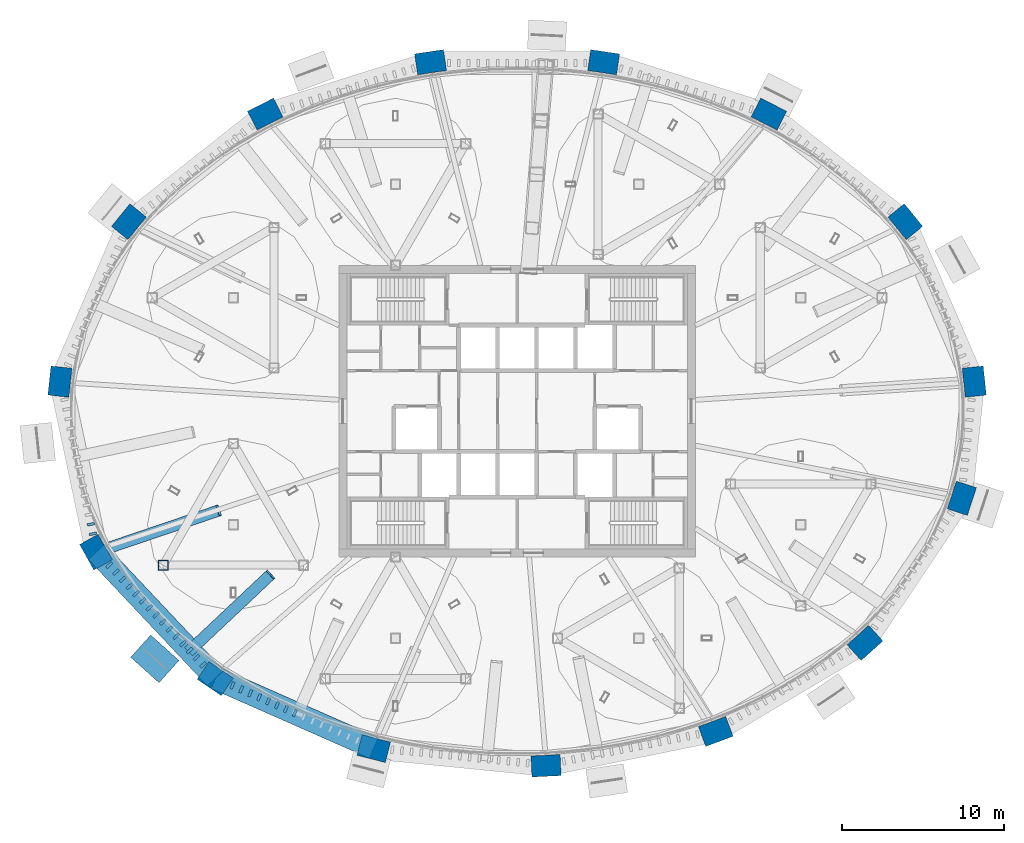
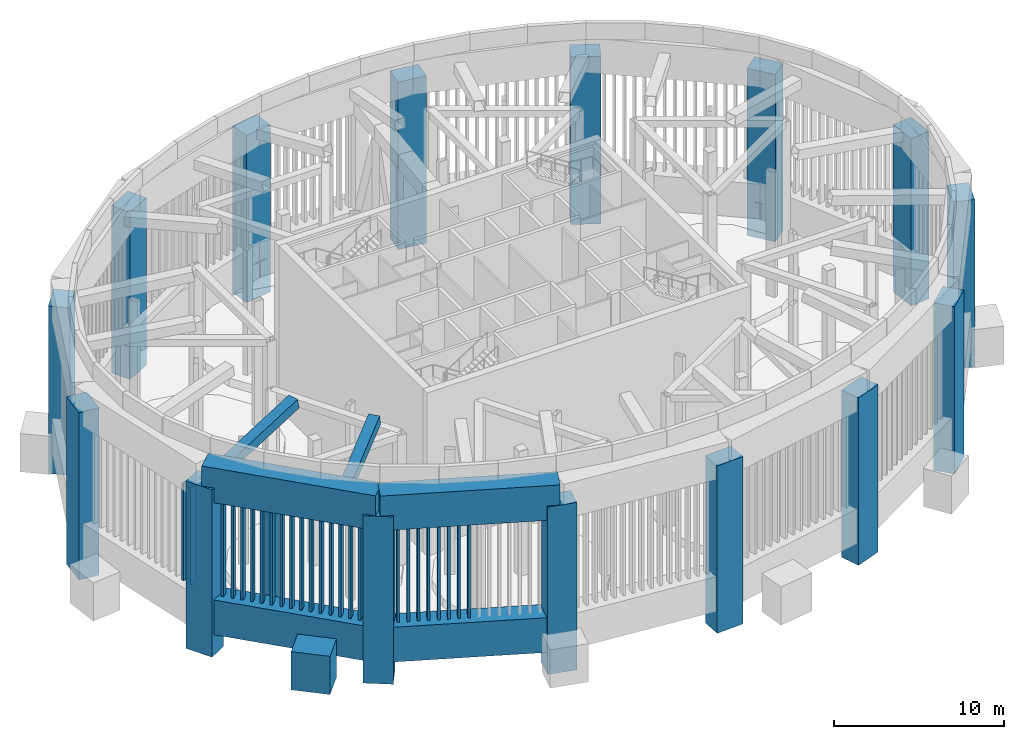
# One storey, part 1 of 14: 29 members, 15 columns, 4 beams.
"""IFC4 building model written with IfcOpenShell, lengths in metres."""

from ifc_helpers import new_model, si_unit, direction, frame, origin, origin_2d, place, context, subcontext, project, spatial, rectangle, hollow_rectangle, extrude, source, transform, mapped, material, material_profile, profile_set, type_object, element, save


model = new_model("IFC4")

# Units and contexts
model_context = context("Model", 3, precision=1e-05, world=origin(), true_north=direction((0.0, 1.0)))
body_context = subcontext(model_context, "Body", "Model", "MODEL_VIEW")
ifc_project = project(units=[si_unit("LENGTHUNIT", "METRE"), si_unit("AREAUNIT", "SQUARE_METRE"), si_unit("VOLUMEUNIT", "CUBIC_METRE"), si_unit("PLANEANGLEUNIT", "RADIAN"), si_unit("MASSUNIT", "GRAM", prefix="KILO")], contexts=[model_context])

# Site, building, storey
site_placement = place(None, origin())
site = spatial("IfcSite", under=ifc_project, at=site_placement, CompositionType="ELEMENT")
building_placement = place(site_placement, origin())
building = spatial("IfcBuilding", under=site, at=building_placement, Name="Embergate Tower", CompositionType="ELEMENT")
storey_placement = place(building_placement, frame((0.0, 0.0, 340.0)))
storey = spatial("IfcBuildingStorey", under=building, at=storey_placement, Name="L79", CompositionType="ELEMENT", Elevation=340.0)

# Columns
ifc_material_1 = material(Name="Concrete C50", Category="concrete")
ifc_material_profile_1 = material_profile(ifc_material_1, rectangle(XDim=1.300048828125, YDim=1.800048828125, at=origin_2d()), Name="RC 1300x1800")
ifc_profile_set_1 = profile_set([ifc_material_profile_1], Name="Concrete C50")
column_type = type_object("IfcColumnType", Name="Ring column RC 1300x1800 C50", PredefinedType="COLUMN", material=ifc_profile_set_1)
shared_shape_1 = source(origin(), body_context, "Body", "SweptSolid", [
    extrude(rectangle(XDim=1.300048828125, YDim=1.800048828125, at=origin_2d()), origin(), (0.0, 0.0, 1.0), 12.050048828125),
])
for number, where, z_axis, x_axis, name in (
    (1, (28.197998046875, 1.820068359375, -1.5), (0.0, 0.0, 1.0), (0.99428589498, 0.106749983816, 0.0), "COL-L79-00"),
    (2, (23.944091796875, 11.68603515625, -1.5), (0.0, 0.0, 1.0), (0.775914301615, 0.630838328377, 0.0), "COL-L79-03"),
    (3, (15.531982421875, 18.323974609375, -1.5), (0.0, 0.0, 1.0), (0.452994952881, 0.891513080478, 0.0), "COL-L79-06"),
    (4, (5.3369140625, 21.52294921875, -1.5), (0.0, 0.0, 1.0), (0.146929011949, 0.989147039346, 0.0), "COL-L79-09"),
    (5, (-5.3369140625, 21.52294921875, -1.5), (0.0, 0.0, 1.0), (-0.146929011949, 0.989147039346, 0.0), "COL-L79-12"),
    (6, (-15.531982421875, 18.323974609375, -1.5), (0.0, 0.0, 1.0), (-0.452994952881, 0.891513080478, 0.0), "COL-L79-15"),
    (7, (-23.944091796875, 11.68603515625, -1.5), (0.0, 0.0, 1.0), (-0.775914301615, 0.630838328377, 0.0), "COL-L79-18"),
    (8, (-28.197998046875, 1.820068359375, -1.5), (0.0, 0.0, 1.0), (-0.99428589498, 0.106749983816, 0.0), "COL-L79-21"),
    (9, (-25.97705078125, -8.696044921875, -1.5), (0.0, 0.0, 1.0), (-0.873491969053, -0.486838556403, 0.0), "COL-L79-24"),
    (10, (-18.623046875, -16.506103515625, -1.5), (0.0, 0.0, 1.0), (-0.560393279442, -0.828226643109, 0.0), "COL-L79-27"),
    (11, (-8.839111328125, -20.821044921875, -1.5), (0.0, 0.0, 1.0), (-0.246491603437, -0.969144926951, 0.0), "COL-L79-30"),
    (12, (1.784912109375, -21.8720703125, -1.5), (0.0, 0.0, 1.0), (0.048814904854, -0.998807841912, 0.0), "COL-L79-33"),
    (13, (12.251953125, -19.758056640625, -1.5), (0.0, 0.0, 1.0), (0.348343015724, -0.93736713373, 0.0), "COL-L79-36"),
    (14, (21.45703125, -14.294921875, -1.5), (0.0, 0.0, 1.0), (0.669208424634, -0.74307475021, 0.0), "COL-L79-39"),
    (15, (27.43408203125, -5.3740234375, -1.5), (0.0, 0.0, 1.0), (0.950754033697, -0.309946394413, 0.0), "COL-L79-42"),
):
    element("IfcColumn", number, at=place(storey_placement, frame(where, z_axis=z_axis, x_axis=x_axis)), inside=storey, type_object=column_type, Name=name, PredefinedType="COLUMN", context=body_context, shape_type="MappedRepresentation", body=[
        mapped(shared_shape_1, transform((0.0, 0.0, 0.0))),
    ])

# Members
ifc_material_2 = material(Name="Concrete C70", Category="concrete")
ifc_material_profile_2 = material_profile(ifc_material_2, rectangle(XDim=1.85009765625, YDim=2.35009765625, at=origin_2d()), Name="RC 1850x2350")
ifc_profile_set_2 = profile_set([ifc_material_profile_2], Name="Concrete C70")
member_type_1 = type_object("IfcMemberType", Name="Lattice node block RC 1850x2350", PredefinedType="POST", material=ifc_profile_set_2)
shared_shape_2 = source(origin(), body_context, "Body", "SweptSolid", [
    extrude(rectangle(XDim=1.85009765625, YDim=2.35009765625, at=origin_2d()), origin(), (0.0, 0.0, 1.0), 2.75),
])
member_1_placement = place(storey_placement, frame((-22.343017578125, -15.279052734375, -1.375), z_axis=(0.0, 0.0, 1.0), x_axis=(-0.669208424634, -0.74307475021, 0.0)))
element("IfcMember", 16, at=member_1_placement, inside=storey, type_object=member_type_1, Name="NOD-L79-26", PredefinedType="POST", context=body_context, shape_type="MappedRepresentation", body=[
    mapped(shared_shape_2, transform((0.0, 0.0, 0.0))),
])
ifc_material_3 = material(Name="Steel Q355D", Category="steel")
ifc_material_profile_3 = material_profile(ifc_material_3, hollow_rectangle(XDim=0.699951171875, YDim=0.699951171875, WallThickness=0.031982421875, at=origin_2d()), Name="BOX 700x700x32")
ifc_profile_set_3 = profile_set([ifc_material_profile_3], Name="Steel Q355 grade D")
member_type_2 = type_object("IfcMemberType", Name="Glass point bearing strut BOX 700x700x32", PredefinedType="STRUT", material=ifc_profile_set_3)
shared_shape_3 = source(origin(), body_context, "Body", "SweptSolid", [
    extrude(hollow_rectangle(XDim=0.699951171875, YDim=0.699951171875, WallThickness=0.031982421875, at=origin_2d()), origin(), (0.0, 0.0, 1.0), 8.183837890625),
])
member_2_placement = place(storey_placement, frame((-25.97705078125, -8.696044921875, 10.25), z_axis=(0.925133862419, 0.313688128836, 0.213838945078), x_axis=(-0.321115882939, 0.947039909256, 0.0)))
element("IfcMember", 17, at=member_2_placement, inside=storey, type_object=member_type_2, Name="CRN-L79-BS12", PredefinedType="STRUT", context=body_context, shape_type="MappedRepresentation", body=[
    mapped(shared_shape_3, transform((0.0, 0.0, 0.0))),
])
shared_shape_4 = source(origin(), body_context, "Body", "SweptSolid", [
    extrude(hollow_rectangle(XDim=0.699951171875, YDim=0.699951171875, WallThickness=0.031982421875, at=origin_2d()), origin(), (0.0, 0.0, 1.0), 6.972900390625),
])
member_3_placement = place(storey_placement, frame((-20.22509765625, -14.803955078125, 10.89990234375), z_axis=(0.71895975066, 0.676908973386, 0.157769194335), x_axis=(-0.685494090707, 0.728078190585, 0.0)))
element("IfcMember", 18, at=member_3_placement, inside=storey, type_object=member_type_2, Name="CRN-L79-BS13", PredefinedType="STRUT", context=body_context, shape_type="MappedRepresentation", body=[
    mapped(shared_shape_4, transform((0.0, 0.0, 0.0))),
])
ifc_material_profile_4 = material_profile(ifc_material_3, hollow_rectangle(XDim=0.60009765625, YDim=0.60009765625, WallThickness=0.028076171875, at=origin_2d()), Name="BOX 600x600x28")
ifc_profile_set_4 = profile_set([ifc_material_profile_4], Name="Steel Q355 grade D")
member_type_3 = type_object("IfcMemberType", Name="Turbine frame post BOX 600x600x28", PredefinedType="POST", material=ifc_profile_set_4)
shared_shape_5 = source(origin(), body_context, "Body", "SweptSolid", [
    extrude(hollow_rectangle(XDim=0.60009765625, YDim=0.60009765625, WallThickness=0.028076171875, at=origin_2d()), origin(), (0.0, 0.0, 1.0), 9.39990234375),
])
member_4_placement = place(storey_placement, frame((-21.830078125, -9.5, 0.60009765625), z_axis=(0.0, 0.0, 1.0), x_axis=(1.0, 0.0, 0.0)))
element("IfcMember", 19, at=member_4_placement, inside=storey, type_object=member_type_3, Name="TUR-L79-PS041", PredefinedType="POST", context=body_context, shape_type="MappedRepresentation", body=[
    mapped(shared_shape_5, transform((0.0, 0.0, 0.0))),
])

# Beams
ifc_material_profile_5 = material_profile(ifc_material_1, rectangle(XDim=1.39990234375, YDim=2.5, at=origin_2d()), Name="RC 1400x2500")
ifc_profile_set_5 = profile_set([ifc_material_profile_5], Name="Concrete C50")
beam_type = type_object("IfcBeamType", Name="Slot ring beam RC 1400x2500", PredefinedType="BEAM", material=ifc_profile_set_5)
shared_shape_6 = source(origin(), body_context, "Body", "SweptSolid", [
    extrude(rectangle(XDim=1.39990234375, YDim=2.5, at=origin_2d()), origin(), (0.0, 0.0, 1.0), 10.7041015625),
])
for number, where, z_axis, x_axis, name in (
    (20, (-25.93310546875, -8.672119140625, 1.25), (0.685541828291, -0.728033242142, 0.0), (0.728033242142, 0.685541828291, 0.0), "RNG-L79-LO24"),
    (21, (-25.93310546875, -8.672119140625, 10.75), (0.685541828291, -0.728033242142, 0.0), (0.728033242142, 0.685541828291, 0.0), "RNG-L79-UP24"),
):
    element("IfcBeam", number, at=place(storey_placement, frame(where, z_axis=z_axis, x_axis=x_axis)), inside=storey, type_object=beam_type, Name=name, PredefinedType="BEAM", context=body_context, shape_type="MappedRepresentation", body=[
        mapped(shared_shape_6, transform((0.0, 0.0, 0.0))),
    ])
shared_shape_7 = source(origin(), body_context, "Body", "SweptSolid", [
    extrude(rectangle(XDim=1.39990234375, YDim=2.5, at=origin_2d()), origin(), (0.0, 0.0, 1.0), 10.67529296875),
])
for number, where, z_axis, x_axis, name in (
    (22, (-18.594970703125, -16.465087890625, 1.25), (0.915006210317, -0.403439753967, 0.0), (0.403439753967, 0.915006210317, 0.0), "RNG-L79-LO27"),
    (23, (-18.594970703125, -16.465087890625, 10.75), (0.915006210317, -0.403439753967, 0.0), (0.403439753967, 0.915006210317, 0.0), "RNG-L79-UP27"),
):
    element("IfcBeam", number, at=place(storey_placement, frame(where, z_axis=z_axis, x_axis=x_axis)), inside=storey, type_object=beam_type, Name=name, PredefinedType="BEAM", context=body_context, shape_type="MappedRepresentation", body=[
        mapped(shared_shape_7, transform((0.0, 0.0, 0.0))),
    ])

# Members
ifc_material_4 = material(Name="Terracotta, extruded and glazed", Category="masonry")
ifc_material_profile_6 = material_profile(ifc_material_4, rectangle(XDim=0.449951171875, YDim=0.159912109375, at=origin_2d()), Name="TC 450x160")
ifc_profile_set_6 = profile_set([ifc_material_profile_6], Name="Terracotta, extruded and glazed")
member_type_4 = type_object("IfcMemberType", Name="Terracotta slot fin", PredefinedType="USERDEFINED", material=ifc_profile_set_6)
shared_shape_8 = source(origin(), body_context, "Body", "SweptSolid", [
    extrude(rectangle(XDim=0.449951171875, YDim=0.159912109375, at=origin_2d()), origin(), (0.0, 0.0, 1.0), 7.00390625),
])
for number, where, z_axis, x_axis, name in (
    (24, (-26.29150390625, -6.975341796875, 2.498046875), (0.0, 0.0, 1.0), (0.978391140344, 0.20676260904, 0.0), "Slot fin 22.14"),
    (25, (-26.16650390625, -7.56640625, 2.498046875), (0.0, 0.0, 1.0), (0.978391140344, 0.20676260904, 0.0), "Slot fin 22.15"),
    (26, (-25.158203125, -9.49462890625, 2.498046875), (0.0, 0.0, 1.0), (0.728040825291, 0.685533775032, 0.0), "Slot fin 25.1"),
    (27, (-24.744873046875, -9.933837890625, 2.498046875), (0.0, 0.0, 1.0), (0.728040825291, 0.685533775032, 0.0), "Slot fin 25.2"),
    (28, (-24.331298828125, -10.372802734375, 2.498046875), (0.0, 0.0, 1.0), (0.728040825291, 0.685533775032, 0.0), "Slot fin 25.3"),
    (29, (-23.91796875, -10.81201171875, 2.498046875), (0.0, 0.0, 1.0), (0.728040825291, 0.685533775032, 0.0), "Slot fin 25.4"),
    (30, (-23.50439453125, -11.251220703125, 2.498046875), (0.0, 0.0, 1.0), (0.728040825291, 0.685533775032, 0.0), "Slot fin 25.5"),
    (31, (-23.091064453125, -11.690185546875, 2.498046875), (0.0, 0.0, 1.0), (0.728040825291, 0.685533775032, 0.0), "Slot fin 25.6"),
    (32, (-22.677490234375, -12.12939453125, 2.498046875), (0.0, 0.0, 1.0), (0.728040825291, 0.685533775032, 0.0), "Slot fin 25.7"),
    (33, (-22.263916015625, -12.568603515625, 2.498046875), (0.0, 0.0, 1.0), (0.728040825291, 0.685533775032, 0.0), "Slot fin 25.8"),
    (34, (-21.8505859375, -13.007568359375, 2.498046875), (0.0, 0.0, 1.0), (0.728040825291, 0.685533775032, 0.0), "Slot fin 25.9"),
    (35, (-21.43701171875, -13.44677734375, 2.498046875), (0.0, 0.0, 1.0), (0.728040825291, 0.685533775032, 0.0), "Slot fin 25.10"),
    (36, (-21.023681640625, -13.8857421875, 2.498046875), (0.0, 0.0, 1.0), (0.728040825291, 0.685533775032, 0.0), "Slot fin 25.11"),
    (37, (-20.610107421875, -14.324951171875, 2.498046875), (0.0, 0.0, 1.0), (0.728040825291, 0.685533775032, 0.0), "Slot fin 25.12"),
    (38, (-20.196533203125, -14.76416015625, 2.498046875), (0.0, 0.0, 1.0), (0.728040825291, 0.685533775032, 0.0), "Slot fin 25.13"),
    (39, (-19.783203125, -15.203125, 2.498046875), (0.0, 0.0, 1.0), (0.728040825291, 0.685533775032, 0.0), "Slot fin 25.14"),
    (40, (-19.36962890625, -15.642333984375, 2.498046875), (0.0, 0.0, 1.0), (0.728040825291, 0.685533775032, 0.0), "Slot fin 25.15"),
    (41, (-17.56103515625, -16.9208984375, 2.498046875), (0.0, 0.0, 1.0), (0.403451076767, 0.915001217844, 0.0), "Slot fin 28.1"),
    (42, (-17.010986328125, -17.163330078125, 2.498046875), (0.0, 0.0, 1.0), (0.403451076767, 0.915001217844, 0.0), "Slot fin 28.2"),
    (43, (-16.4609375, -17.406005859375, 2.498046875), (0.0, 0.0, 1.0), (0.403451076767, 0.915001217844, 0.0), "Slot fin 28.3"),
    (44, (-15.910888671875, -17.6484375, 2.498046875), (0.0, 0.0, 1.0), (0.403451076767, 0.915001217844, 0.0), "Slot fin 28.4"),
    (45, (-15.361083984375, -17.89111328125, 2.498046875), (0.0, 0.0, 1.0), (0.403451076767, 0.915001217844, 0.0), "Slot fin 28.5"),
    (46, (-14.81103515625, -18.133544921875, 2.498046875), (0.0, 0.0, 1.0), (0.403451076767, 0.915001217844, 0.0), "Slot fin 28.6"),
    (47, (-14.260986328125, -18.3759765625, 2.498046875), (0.0, 0.0, 1.0), (0.403451076767, 0.915001217844, 0.0), "Slot fin 28.7"),
    (48, (-13.7109375, -18.618408203125, 2.498046875), (0.0, 0.0, 1.0), (0.403451076767, 0.915001217844, 0.0), "Slot fin 28.8"),
):
    element("IfcMember", number, at=place(storey_placement, frame(where, z_axis=z_axis, x_axis=x_axis)), inside=storey, type_object=member_type_4, Name=name, ObjectType="FIN", PredefinedType="USERDEFINED", context=body_context, shape_type="MappedRepresentation", body=[
        mapped(shared_shape_8, transform((0.0, 0.0, 0.0))),
    ])

save(model, "model.ifc")
